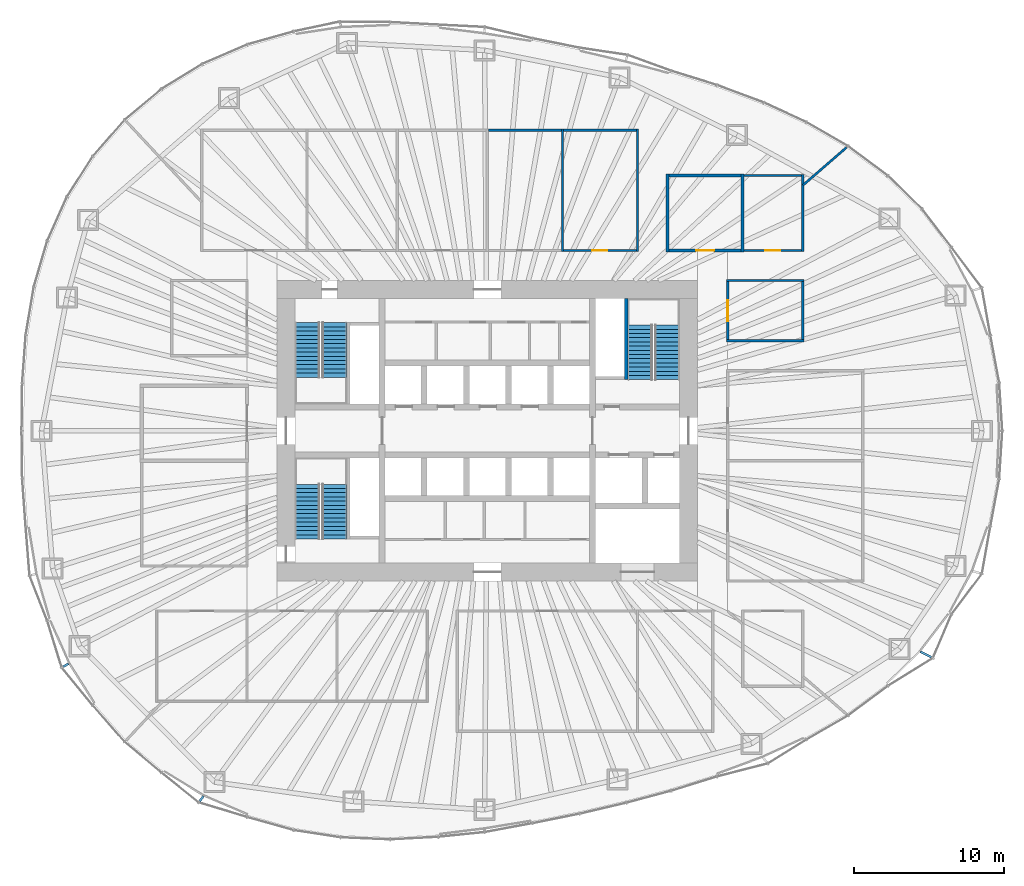
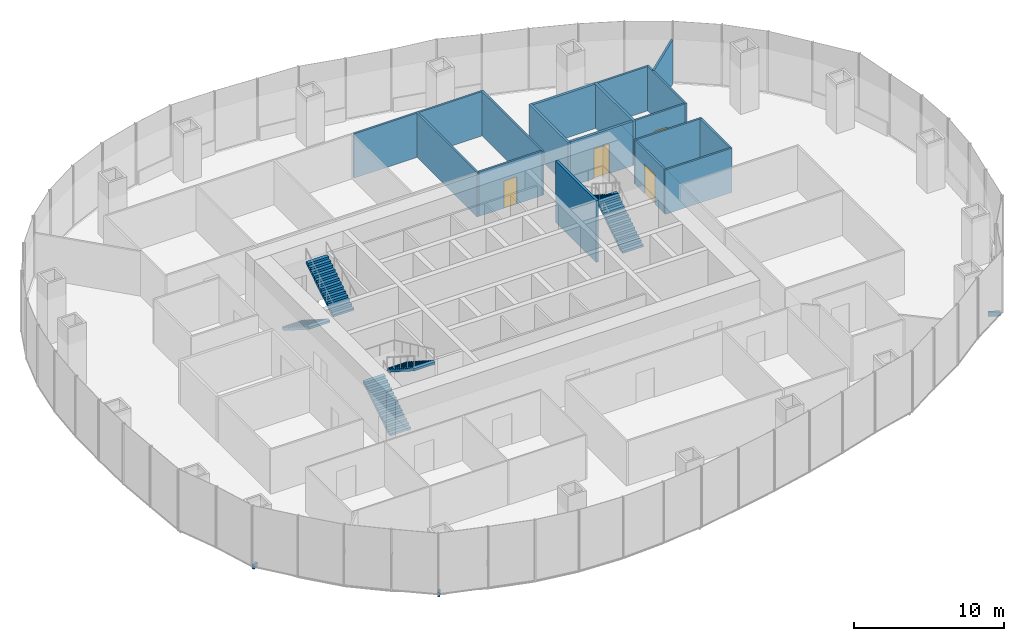
# One storey, part 12 of 18: 18 walls, 6 stair flights, 4 doors, 3 discrete accessories, 4 openings, 3 elements without a shape of their own.
"""IFC4 building model written with IfcOpenShell, lengths in metres."""

import ifcopenshell
import ifcopenshell.guid

model = None  # the IFC model being written
_history = None  # IfcOwnerHistory: only IFC2X3 demands one
_inside = {}  # id of a spatial element -> (the spatial element, [elements in it])
_under = {}  # id of a project, library or spatial element -> (it, [spatial elements below it])
_declared = {}  # id of a project -> (the project, [libraries it declares])
_typed = {}  # id of a type object -> (the type object, [elements of that type])
_made_of = {}  # id of a material, layer set ... -> (it, [elements and type objects made of it])


def new_model(schema):
    """Start an empty IFC model of exactly this schema.

    Asked for "IFC4X3", IfcOpenShell would pick the latest addendum, in which some entities
    have other attributes; the version numbers below select the first issue.
    IFC2X3 requires an IfcOwnerHistory on every rooted entity: one is made here for all.
    """
    global model, _history
    if schema == "IFC4X3":
        model = ifcopenshell.file(schema_version=(4, 3, 0, 0))
    else:
        model = ifcopenshell.file(schema=schema)
    _inside.clear()
    _under.clear()
    _declared.clear()
    _typed.clear()
    _made_of.clear()
    _history = None
    if model.schema == "IFC2X3":
        org = make("IfcOrganization", Name="unknown")
        user = make(
            "IfcPersonAndOrganization",
            ThePerson=make("IfcPerson", FamilyName="unknown"),
            TheOrganization=org,
        )
        app = make(
            "IfcApplication",
            ApplicationDeveloper=org,
            Version="unknown",
            ApplicationFullName="unknown",
            ApplicationIdentifier="unknown",
        )
        _history = make(
            "IfcOwnerHistory",
            OwningUser=user,
            OwningApplication=app,
            ChangeAction="ADDED",
            CreationDate=0,
        )
    return model


def make(cls, **values):
    """One entity of the class cls with the attributes given. An attribute that is None is left unset."""
    return model.create_entity(
        cls, **{name: value for name, value in values.items() if value is not None}
    )


def rooted(cls, **values):
    """An entity with a GlobalId (a new one), such as an element, a storey or a relation."""
    return make(cls, GlobalId=ifcopenshell.guid.new(), OwnerHistory=_history, **values)


def si_unit(unit_type, name, prefix=None):
    """IfcSIUnit, for example si_unit("LENGTHUNIT", "METRE", prefix="MILLI")."""
    return make("IfcSIUnit", UnitType=unit_type, Prefix=prefix, Name=name)


def assignment(units):
    """IfcUnitAssignment: the units of a project."""
    return None if units is None else make("IfcUnitAssignment", Units=units)


def point(xyz):
    """IfcCartesianPoint."""
    return None if xyz is None else make("IfcCartesianPoint", Coordinates=xyz)


def direction(xyz):
    """IfcDirection."""
    return None if xyz is None else make("IfcDirection", DirectionRatios=xyz)


def frame(location, z_axis=None, x_axis=None):
    """IfcAxis2Placement3D, a coordinate frame: its origin and axes. An axis left out is left unset."""
    return make(
        "IfcAxis2Placement3D",
        Location=point(location),
        Axis=direction(z_axis),
        RefDirection=direction(x_axis),
    )


def frame_2d(location, x_axis=None):
    """IfcAxis2Placement2D, a coordinate frame in the plane: its origin and x axis."""
    return make(
        "IfcAxis2Placement2D", Location=point(location), RefDirection=direction(x_axis)
    )


def origin():
    """The frame at (0, 0, 0) with its axes left unset."""
    return frame((0.0, 0.0, 0.0))


def origin_2d():
    """The frame at (0, 0) in the plane with its x axis left unset."""
    return frame_2d((0.0, 0.0))


def place(relative_to, where):
    """IfcLocalPlacement: puts the frame where relative to a parent placement (None: the world)."""
    return make(
        "IfcLocalPlacement", PlacementRelTo=relative_to, RelativePlacement=where
    )


def context(
    kind, dimensions, precision=None, world=None, true_north=None, identifier=None
):
    """IfcGeometricRepresentationContext, for example the 3D "Model" context."""
    return make(
        "IfcGeometricRepresentationContext",
        ContextIdentifier=identifier,
        ContextType=kind,
        CoordinateSpaceDimension=dimensions,
        Precision=precision,
        WorldCoordinateSystem=world,
        TrueNorth=true_north,
    )


def subcontext(parent, identifier, kind, view, scale=None):
    """IfcGeometricRepresentationSubContext, for example "Body" below "Model"."""
    return make(
        "IfcGeometricRepresentationSubContext",
        ContextIdentifier=identifier,
        ContextType=kind,
        ParentContext=parent,
        TargetScale=scale,
        TargetView=view,
    )


def project(units=None, contexts=None):
    """IfcProject with its units and contexts."""
    return rooted(
        "IfcProject",
        Name="project",
        RepresentationContexts=contexts,
        UnitsInContext=assignment(units),
    )


def spatial(cls, under=None, at=None, **own):
    """A site, building, storey or space (cls), placed at a placement, below another one or the project."""
    s = rooted(cls, ObjectPlacement=at, **own)
    if under is not None:
        _under.setdefault(under.id(), (under, []))[1].append(s)
    return s


def polyline(points):
    """IfcPolyline through the points."""
    return make("IfcPolyline", Points=[point(p) for p in points])


def profile(cls, at=None, kind="AREA", **sizes):
    """A parametric profile (cls). Its sizes go by their IFC names, for example OverallWidth=200.0."""
    return make(cls, ProfileType=kind, Position=at, **sizes)


def rectangle(**sizes):
    """IfcRectangleProfileDef."""
    return profile("IfcRectangleProfileDef", **sizes)


def outline(outer, holes=None, kind="AREA"):
    """IfcArbitraryClosedProfileDef: a profile drawn as a closed curve; with holes, ...WithVoids."""
    if holes is None:
        return make("IfcArbitraryClosedProfileDef", ProfileType=kind, OuterCurve=outer)
    return make(
        "IfcArbitraryProfileDefWithVoids",
        ProfileType=kind,
        OuterCurve=outer,
        InnerCurves=holes,
    )


def extrude(swept, where, along, depth):
    """IfcExtrudedAreaSolid: the profile swept, set in the frame where, extruded along a direction by depth."""
    return make(
        "IfcExtrudedAreaSolid",
        SweptArea=swept,
        Position=where,
        ExtrudedDirection=direction(along),
        Depth=depth,
    )


def shape(context_of_items, identifier, shape_type, items):
    """IfcShapeRepresentation: the items that make up one representation, for example the "Body"."""
    return make(
        "IfcShapeRepresentation",
        ContextOfItems=context_of_items,
        RepresentationIdentifier=identifier,
        RepresentationType=shape_type,
        Items=items,
    )


def material(Name=None, Category=None):
    """IfcMaterial."""
    return make("IfcMaterial", Name=Name, Category=Category)


def layer(
    of_material, thickness, ventilated=None, Name=None, Category=None, Priority=None
):
    """IfcMaterialLayer: one layer of a wall or slab, of a material (None: an air gap)."""
    return make(
        "IfcMaterialLayer",
        Material=of_material,
        LayerThickness=thickness,
        IsVentilated=ventilated,
        Name=Name,
        Category=Category,
        Priority=Priority,
    )


def layer_set(layers, Name=None):
    """IfcMaterialLayerSet."""
    return make("IfcMaterialLayerSet", MaterialLayers=layers, LayerSetName=Name)


def made_of(thing, what):
    """Note that an element or type object is made of a material, layer set ...; save() writes the relation."""
    if what is not None:
        _made_of.setdefault(what.id(), (what, []))[1].append(thing)
    return thing


def type_object(cls, material=None, **own):
    """A type object (cls), such as IfcWallType, which elements share."""
    return made_of(rooted(cls, **own), material)


def element(
    cls,
    number,
    at=None,
    inside=None,
    cuts=None,
    type_object=None,
    material=None,
    context=None,
    identifier="Body",
    shape_type=None,
    held_by="IfcProductDefinitionShape",
    body=None,
    shapes=None,
    **own,
):
    """One element of the class cls, such as IfcWall. Its Tag is "e" and its number.

    at: its placement. inside: the storey or other place that contains it. cuts: it is an
    opening in that element (IfcRelVoidsElement). A single representation is given by context,
    identifier, shape_type and body (its items); several are given by shapes. held_by: the class
    of the entity that holds the representations. save() writes the other relations.
    """
    e = rooted(cls, Tag="e%d" % number, ObjectPlacement=at, **own)
    if body is not None:
        shapes = [shape(context, identifier, shape_type, body)]
    if shapes is not None:
        e.Representation = make(held_by, Representations=shapes)
    if inside is not None:
        _inside.setdefault(inside.id(), (inside, []))[1].append(e)
    if cuts is not None:
        rooted(
            "IfcRelVoidsElement", RelatingBuildingElement=cuts, RelatedOpeningElement=e
        )
    if type_object is not None:
        _typed.setdefault(type_object.id(), (type_object, []))[1].append(e)
    return made_of(e, material)


def fill(opening, filler):
    """IfcRelFillsElement: the door or window that sits in an opening."""
    return rooted(
        "IfcRelFillsElement",
        RelatingOpeningElement=opening,
        RelatedBuildingElement=filler,
    )


def aggregate(whole, parts):
    """IfcRelAggregates: a whole, such as a stair, and the parts it consists of."""
    return rooted("IfcRelAggregates", RelatingObject=whole, RelatedObjects=parts)


def save(model, path):
    """Write the relations noted so far, then the file.

    IfcRelAggregates (storeys below a building ...), IfcRelContainedInSpatialStructure (elements
    in a storey), IfcRelDefinesByType, IfcRelAssociatesMaterial and IfcRelDeclares: one each for
    every whole, place, type object, material and project.
    """
    for whole, parts in _under.values():
        aggregate(whole, parts)
    for where, things in _inside.values():
        rooted(
            "IfcRelContainedInSpatialStructure",
            RelatedElements=things,
            RelatingStructure=where,
        )
    for kind, things in _typed.values():
        rooted("IfcRelDefinesByType", RelatedObjects=things, RelatingType=kind)
    for what, things in _made_of.values():
        rooted("IfcRelAssociatesMaterial", RelatedObjects=things, RelatingMaterial=what)
    for by, libraries in _declared.values():
        rooted("IfcRelDeclares", RelatingContext=by, RelatedDefinitions=libraries)
    model.write(path)


model = new_model("IFC4")

# Units and contexts
model_context = context("Model", 3, precision=1e-05, world=origin(), true_north=direction((0.0, 1.0)))
body_context = subcontext(model_context, "Body", "Model", "MODEL_VIEW")
ifc_project = project(units=[si_unit("LENGTHUNIT", "METRE"), si_unit("AREAUNIT", "SQUARE_METRE"), si_unit("VOLUMEUNIT", "CUBIC_METRE"), si_unit("PLANEANGLEUNIT", "RADIAN"), si_unit("MASSUNIT", "GRAM", prefix="KILO")], contexts=[model_context])

# Site, building, storey
site_placement = place(None, origin())
site = spatial("IfcSite", under=ifc_project, at=site_placement, CompositionType="ELEMENT")
building_placement = place(site_placement, origin())
building = spatial("IfcBuilding", under=site, at=building_placement, Name="Ghaith Harvest Tower", CompositionType="ELEMENT")
storey_placement = place(building_placement, frame((0.0, 0.0, 95.0)))
storey = spatial("IfcBuildingStorey", under=building, at=storey_placement, Name="L19", CompositionType="ELEMENT", Elevation=95.0)

# Walls
ifc_material_1 = material(Name="Twin-stud gypsum board, acoustic", Category="gypsum")
ifc_layer_1 = layer(ifc_material_1, 0.199951171875)
ifc_layer_set_1 = layer_set([ifc_layer_1], Name="ACOUSTIC PARTITION 200")
wall_type_1 = type_object("IfcWallType", Name="ACOUSTIC PARTITION 200", PredefinedType="PARTITIONING", material=ifc_layer_set_1)
for number, where, z_axis, x_axis, name in (
    (1, (12.0, 11.89990234375, 0.0), (0.0, 0.0, 1.0), (0.0, 1.0, 0.0), "Partition L19 row N6 cross wall 1"),
    (2, (17.0, 11.89990234375, 0.0), (0.0, 0.0, 1.0), (0.0, 1.0, 0.0), "Partition L19 row N6 cross wall 2"),
):
    element("IfcWall", number, at=place(storey_placement, frame(where, z_axis=z_axis, x_axis=x_axis)), inside=storey, type_object=wall_type_1, Name=name, PredefinedType="PARTITIONING", context=body_context, shape_type="SweptSolid", body=[
        extrude(rectangle(XDim=5.2001953125, YDim=0.199951171875, at=frame_2d((2.60009765625, 0.0))), origin(), (0.0, 0.0, 1.0), 3.60009765625),
    ])

# Wall, opening, door
wall_1_placement = place(storey_placement, frame((12.10009765625, 12.0, 0.0), z_axis=(0.0, 0.0, 1.0), x_axis=(1.0, 0.0, 0.0)))
wall_1 = element("IfcWall", 3, at=wall_1_placement, inside=storey, type_object=wall_type_1, Name="Partition L19-15", PredefinedType="PARTITIONING", context=body_context, shape_type="SweptSolid", body=[
    extrude(rectangle(XDim=4.7998046875, YDim=0.199951171875, at=frame_2d((2.39990234375, 0.0))), origin(), (0.0, 0.0, 1.0), 3.60009765625),
])
opening_1_placement = place(wall_1_placement, frame((1.800048828125, 0.0, 0.0)))
opening_1 = element("IfcOpeningElement", 4, at=opening_1_placement, cuts=wall_1, Name="Opening 19-040", PredefinedType="OPENING", context=body_context, shape_type="SweptSolid", body=[
    extrude(rectangle(XDim=1.199951171875, YDim=2.39990234375, at=frame_2d((0.60009765625, 1.199951171875))), frame((0.0, 0.10986328125, 0.0), z_axis=(0.0, -1.0, 0.0), x_axis=(1.0, 0.0, 0.0)), (0.0, 0.0, 1.0), 0.219970703125),
])
ifc_material_2 = material(Name="Timber door", Category="wood")
door_type_1 = type_object("IfcDoorType", Name="D11 GLAZED 1200x2400", OperationType="SINGLE_SWING_LEFT", PredefinedType="DOOR", material=ifc_material_2)
door_1_placement = place(opening_1_placement, origin())
door_1 = element("IfcDoor", 5, at=door_1_placement, inside=storey, type_object=door_type_1, Name="Meeting room door", OperationType="SINGLE_SWING_LEFT", OverallHeight=2.39990234375, OverallWidth=1.199951171875, PredefinedType="DOOR", context=body_context, shape_type="SweptSolid", body=[
    extrude(rectangle(XDim=1.199951171875, YDim=2.39990234375, at=frame_2d((0.60009765625, 1.199951171875))), frame((0.0, 0.02490234375, 0.0), z_axis=(0.0, -1.0, 0.0), x_axis=(1.0, 0.0, 0.0)), (0.0, 0.0, 1.0), 0.050048828125),
])
fill(opening_1, door_1)

# Walls
wall_2_placement = place(storey_placement, frame((12.10009765625, 17.0, 0.0), z_axis=(0.0, 0.0, 1.0), x_axis=(1.0, 0.0, 0.0)))
element("IfcWall", 6, at=wall_2_placement, inside=storey, type_object=wall_type_1, Name="Partition L19-15", PredefinedType="PARTITIONING", context=body_context, shape_type="SweptSolid", body=[
    extrude(rectangle(XDim=4.7998046875, YDim=0.199951171875, at=frame_2d((2.39990234375, 0.0))), origin(), (0.0, 0.0, 1.0), 3.60009765625),
])
ifc_material_3 = material(Name="Gypsum board on steel studs", Category="steel")
ifc_layer_2 = layer(ifc_material_3, 0.14990234375)
ifc_layer_set_2 = layer_set([ifc_layer_2], Name="PARTITION 150")
wall_type_2 = type_object("IfcWallType", Name="PARTITION 150", PredefinedType="PARTITIONING", material=ifc_layer_set_2)
for number, where, z_axis, x_axis, name in (
    (7, (5.0, 11.925048828125, 0.0), (0.0, 0.0, 1.0), (0.0, 1.0, 0.0), "Partition L19 row N4 cross wall 5"),
    (8, (10.0, 11.925048828125, 0.0), (0.0, 0.0, 1.0), (0.0, 1.0, 0.0), "Partition L19 row N4 cross wall 6"),
):
    element("IfcWall", number, at=place(storey_placement, frame(where, z_axis=z_axis, x_axis=x_axis)), inside=storey, type_object=wall_type_2, Name=name, PredefinedType="PARTITIONING", context=body_context, shape_type="SweptSolid", body=[
        extrude(rectangle(XDim=8.14990234375, YDim=0.14990234375, at=frame_2d((4.074951171875, 0.0))), origin(), (0.0, 0.0, 1.0), 3.60009765625),
    ])
wall_3_placement = place(storey_placement, frame((0.074951171875, 20.0, 0.0), z_axis=(0.0, 0.0, 1.0), x_axis=(1.0, 0.0, 0.0)))
element("IfcWall", 9, at=wall_3_placement, inside=storey, type_object=wall_type_2, Name="Partition L19-11", PredefinedType="PARTITIONING", context=body_context, shape_type="SweptSolid", body=[
    extrude(rectangle(XDim=4.85009765625, YDim=0.14990234375, at=frame_2d((2.425048828125, 0.0))), origin(), (0.0, 0.0, 1.0), 3.60009765625),
])

# Wall, opening, door
wall_4_placement = place(storey_placement, frame((5.074951171875, 12.0, 0.0), z_axis=(0.0, 0.0, 1.0), x_axis=(1.0, 0.0, 0.0)))
wall_4 = element("IfcWall", 10, at=wall_4_placement, inside=storey, type_object=wall_type_2, Name="Partition L19-12", PredefinedType="PARTITIONING", context=body_context, shape_type="SweptSolid", body=[
    extrude(rectangle(XDim=4.85009765625, YDim=0.14990234375, at=frame_2d((2.425048828125, 0.0))), origin(), (0.0, 0.0, 1.0), 3.60009765625),
])
opening_2_placement = place(wall_4_placement, frame((1.925048828125, 0.0, 0.0)))
opening_2 = element("IfcOpeningElement", 11, at=opening_2_placement, cuts=wall_4, Name="Opening 19-037", PredefinedType="OPENING", context=body_context, shape_type="SweptSolid", body=[
    extrude(rectangle(XDim=1.0, YDim=2.199951171875, at=frame_2d((0.5, 1.10009765625))), frame((0.0, 0.0849609375, 0.0), z_axis=(0.0, -1.0, 0.0), x_axis=(1.0, 0.0, 0.0)), (0.0, 0.0, 1.0), 0.169921875),
])
ifc_material_4 = material(Name="Timber door", Category="wood")
door_type_2 = type_object("IfcDoorType", Name="D1 SINGLE 1000x2200", OperationType="SINGLE_SWING_LEFT", PredefinedType="DOOR", material=ifc_material_4)
door_2_placement = place(opening_2_placement, origin())
door_2 = element("IfcDoor", 12, at=door_2_placement, inside=storey, type_object=door_type_2, Name="Female staff changing room door", OperationType="SINGLE_SWING_LEFT", OverallHeight=2.199951171875, OverallWidth=1.0, PredefinedType="DOOR", context=body_context, shape_type="SweptSolid", body=[
    extrude(rectangle(XDim=1.0, YDim=2.199951171875, at=frame_2d((0.5, 1.10009765625))), frame((0.0, 0.02490234375, 0.0), z_axis=(0.0, -1.0, 0.0), x_axis=(1.0, 0.0, 0.0)), (0.0, 0.0, 1.0), 0.050048828125),
])
fill(opening_2, door_2)

# Walls
wall_5_placement = place(storey_placement, frame((5.074951171875, 20.0, 0.0), z_axis=(0.0, 0.0, 1.0), x_axis=(1.0, 0.0, 0.0)))
element("IfcWall", 13, at=wall_5_placement, inside=storey, type_object=wall_type_2, Name="Partition L19-12", PredefinedType="PARTITIONING", context=body_context, shape_type="SweptSolid", body=[
    extrude(rectangle(XDim=4.85009765625, YDim=0.14990234375, at=frame_2d((2.425048828125, 0.0))), origin(), (0.0, 0.0, 1.0), 3.60009765625),
])
wall_6_placement = place(storey_placement, frame((21.0, 11.925048828125, 0.0), z_axis=(0.0, 0.0, 1.0), x_axis=(0.0, 1.0, 0.0)))
element("IfcWall", 14, at=wall_6_placement, inside=storey, type_object=wall_type_2, Name="Partition L19 row N6 cross wall 3", PredefinedType="PARTITIONING", context=body_context, shape_type="SweptSolid", body=[
    extrude(rectangle(XDim=5.14990234375, YDim=0.14990234375, at=frame_2d((2.574951171875, 0.0))), origin(), (0.0, 0.0, 1.0), 3.60009765625),
])

# Wall, opening, door
wall_7_placement = place(storey_placement, frame((17.10009765625, 12.0, 0.0), z_axis=(0.0, 0.0, 1.0), x_axis=(1.0, 0.0, 0.0)))
wall_7 = element("IfcWall", 15, at=wall_7_placement, inside=storey, type_object=wall_type_2, Name="Partition L19-16", PredefinedType="PARTITIONING", context=body_context, shape_type="SweptSolid", body=[
    extrude(rectangle(XDim=3.824951171875, YDim=0.14990234375, at=frame_2d((1.91259765625, 0.0))), origin(), (0.0, 0.0, 1.0), 3.60009765625),
])
opening_3_placement = place(wall_7_placement, frame((1.41259765625, 0.0, 0.0)))
opening_3 = element("IfcOpeningElement", 16, at=opening_3_placement, cuts=wall_7, Name="Opening 19-041", PredefinedType="OPENING", context=body_context, shape_type="SweptSolid", body=[
    extrude(rectangle(XDim=1.0, YDim=2.199951171875, at=frame_2d((0.5, 1.10009765625))), frame((0.0, 0.0849609375, 0.0), z_axis=(0.0, -1.0, 0.0), x_axis=(1.0, 0.0, 0.0)), (0.0, 0.0, 1.0), 0.169921875),
])
door_3_placement = place(opening_3_placement, origin())
door_3 = element("IfcDoor", 17, at=door_3_placement, inside=storey, type_object=door_type_2, Name="Store door", OperationType="SINGLE_SWING_LEFT", OverallHeight=2.199951171875, OverallWidth=1.0, PredefinedType="DOOR", context=body_context, shape_type="SweptSolid", body=[
    extrude(rectangle(XDim=1.0, YDim=2.199951171875, at=frame_2d((0.5, 1.10009765625))), frame((0.0, 0.02490234375, 0.0), z_axis=(0.0, -1.0, 0.0), x_axis=(1.0, 0.0, 0.0)), (0.0, 0.0, 1.0), 0.050048828125),
])
fill(opening_3, door_3)

# Walls
wall_8_placement = place(storey_placement, frame((17.10009765625, 17.0, 0.0), z_axis=(0.0, 0.0, 1.0), x_axis=(1.0, 0.0, 0.0)))
element("IfcWall", 18, at=wall_8_placement, inside=storey, type_object=wall_type_2, Name="Partition L19-16", PredefinedType="PARTITIONING", context=body_context, shape_type="SweptSolid", body=[
    extrude(rectangle(XDim=3.824951171875, YDim=0.14990234375, at=frame_2d((1.91259765625, 0.0))), origin(), (0.0, 0.0, 1.0), 3.60009765625),
])
for number, where, z_axis, x_axis, name in (
    (19, (15.925048828125, 6.0, 0.0), (0.0, 0.0, 1.0), (1.0, 0.0, 0.0), "Partition L19 row E8 cross wall 1"),
    (20, (15.925048828125, 10.0, 0.0), (0.0, 0.0, 1.0), (1.0, 0.0, 0.0), "Partition L19 row E8 cross wall 2"),
):
    element("IfcWall", number, at=place(storey_placement, frame(where, z_axis=z_axis, x_axis=x_axis)), inside=storey, type_object=wall_type_2, Name=name, PredefinedType="PARTITIONING", context=body_context, shape_type="SweptSolid", body=[
        extrude(rectangle(XDim=5.14990234375, YDim=0.14990234375, at=frame_2d((2.574951171875, 0.0))), origin(), (0.0, 0.0, 1.0), 3.60009765625),
    ])

# Wall, opening, door
wall_9_placement = place(storey_placement, frame((16.0, 6.074951171875, 0.0), z_axis=(0.0, 0.0, 1.0), x_axis=(0.0, 1.0, 0.0)))
wall_9 = element("IfcWall", 21, at=wall_9_placement, inside=storey, type_object=wall_type_2, Name="Partition L19-18", PredefinedType="PARTITIONING", context=body_context, shape_type="SweptSolid", body=[
    extrude(rectangle(XDim=3.85009765625, YDim=0.14990234375, at=frame_2d((1.925048828125, 0.0))), origin(), (0.0, 0.0, 1.0), 3.60009765625),
])
opening_4_placement = place(wall_9_placement, frame((1.22509765625, 0.0, 0.0)))
opening_4 = element("IfcOpeningElement", 22, at=opening_4_placement, cuts=wall_9, Name="Opening 19-043", PredefinedType="OPENING", context=body_context, shape_type="SweptSolid", body=[
    extrude(rectangle(XDim=1.39990234375, YDim=2.39990234375, at=frame_2d((0.699951171875, 1.199951171875))), frame((0.0, 0.0849609375, 0.0), z_axis=(0.0, -1.0, 0.0), x_axis=(1.0, 0.0, 0.0)), (0.0, 0.0, 1.0), 0.169921875),
])
ifc_material_5 = material(Name="Stainless steel faced door pair", Category="steel")
door_type_3 = type_object("IfcDoorType", Name="D14 HYGIENE PAIR 1400x2400", OperationType="DOUBLE_DOOR_DOUBLE_SWING", PredefinedType="DOOR", material=ifc_material_5)
door_4_placement = place(opening_4_placement, origin())
door_4 = element("IfcDoor", 23, at=door_4_placement, inside=storey, type_object=door_type_3, Name="Pallet store door", OperationType="DOUBLE_DOOR_DOUBLE_SWING", OverallHeight=2.39990234375, OverallWidth=1.39990234375, PredefinedType="DOOR", context=body_context, shape_type="SweptSolid", body=[
    extrude(rectangle(XDim=1.39990234375, YDim=2.39990234375, at=frame_2d((0.699951171875, 1.199951171875))), frame((0.0, 0.02490234375, 0.0), z_axis=(0.0, -1.0, 0.0), x_axis=(1.0, 0.0, 0.0)), (0.0, 0.0, 1.0), 0.050048828125),
])
fill(opening_4, door_4)

# Walls
wall_10_placement = place(storey_placement, frame((21.0, 6.074951171875, 0.0), z_axis=(0.0, 0.0, 1.0), x_axis=(0.0, 1.0, 0.0)))
element("IfcWall", 24, at=wall_10_placement, inside=storey, type_object=wall_type_2, Name="Partition L19-18", PredefinedType="PARTITIONING", context=body_context, shape_type="SweptSolid", body=[
    extrude(rectangle(XDim=3.85009765625, YDim=0.14990234375, at=frame_2d((1.925048828125, 0.0))), origin(), (0.0, 0.0, 1.0), 3.60009765625),
])
wall_11_placement = place(storey_placement, frame((21.02001953125, 16.35400390625, 0.0), z_axis=(0.0, 0.0, 1.0), x_axis=(0.755425653008, 0.655234372402, 0.0)))
element("IfcWall", 25, at=wall_11_placement, inside=storey, type_object=wall_type_2, Name="Partition L19 zone division", PredefinedType="PARTITIONING", context=body_context, shape_type="SweptSolid", body=[
    extrude(rectangle(XDim=3.8232421875, YDim=0.14990234375, at=frame_2d((1.91162109375, 0.0))), origin(), (0.0, 0.0, 1.0), 3.60009765625),
])
ifc_material_6 = material(Name="Concrete C40/50", Category="concrete")
ifc_layer_3 = layer(ifc_material_6, 0.199951171875)
ifc_layer_set_3 = layer_set([ifc_layer_3], Name="STAIR SPINE WALL RC200")
wall_type_3 = type_object("IfcWallType", Name="STAIR SPINE WALL RC200", PredefinedType="SOLIDWALL", material=ifc_layer_set_3)
wall_12_placement = place(storey_placement, frame((9.25, 3.39990234375, 0.0), z_axis=(0.0, 0.0, 1.0), x_axis=(0.0, 1.0, 0.0)))
element("IfcWall", 26, at=wall_12_placement, inside=storey, type_object=wall_type_3, Name="Stair ST2 spine wall L19", PredefinedType="SOLIDWALL", context=body_context, shape_type="SweptSolid", body=[
    extrude(rectangle(XDim=5.400146484375, YDim=0.199951171875, at=frame_2d((2.7001953125, 0.0))), origin(), (0.0, 0.0, 1.0), 5.0),
])

# Stair, stair flights
ifc_material_7 = material(Name="Concrete C40/50, precast", Category="concrete")
stair_type = type_object("IfcStairType", Name="CORE STAIR 28R", PredefinedType="HALF_TURN_STAIR", material=ifc_material_7)
stair_1_placement = place(storey_placement, origin())
stair_1 = element("IfcStair", 27, at=stair_1_placement, inside=storey, type_object=stair_type, Name="Stair ST1 L19", PredefinedType="HALF_TURN_STAIR")
ifc_material_8 = material(Name="Concrete C40/50, precast", Category="concrete")
stair_flight_type = type_object("IfcStairFlightType", Name="CORE FLIGHT 14R 1600", PredefinedType="STRAIGHT", material=ifc_material_8)
stair_flight_1_placement = place(storey_placement, frame((-12.0, 7.199951171875, 0.0), z_axis=(0.0, 0.0, 1.0), x_axis=(0.0, -1.0, 0.0)))
stair_flight_1 = element("IfcStairFlight", 28, at=stair_flight_1_placement, type_object=stair_flight_type, Name="ST1 flight 1", NumberOfRisers=14, NumberOfTreads=13, PredefinedType="STRAIGHT", RiserHeight=0.178571429, TreadLength=0.28, context=body_context, shape_type="SweptSolid", body=[
    extrude(outline(polyline([(0.0, 0.0), (0.0, 0.178466796875), (0.280029296875, 0.178466796875), (0.280029296875, 0.357177734375), (0.56005859375, 0.357177734375), (0.56005859375, 0.53564453125), (0.840087890625, 0.53564453125), (0.840087890625, 0.71435546875), (1.1201171875, 0.71435546875), (1.1201171875, 0.892822265625), (1.39990234375, 0.892822265625), (1.39990234375, 1.071533203125), (1.679931640625, 1.071533203125), (1.679931640625, 1.25), (1.9599609375, 1.25), (1.9599609375, 1.428466796875), (2.239990234375, 1.428466796875), (2.239990234375, 1.607177734375), (2.52001953125, 1.607177734375), (2.52001953125, 1.78564453125), (2.800048828125, 1.78564453125), (2.800048828125, 1.96435546875), (3.080078125, 1.96435546875), (3.080078125, 2.142822265625), (3.360107421875, 2.142822265625), (3.360107421875, 2.321533203125), (3.639892578125, 2.321533203125), (3.639892578125, 2.5), (3.639892578125, 2.1435546875), (0.27880859375, 0.0), (0.0, 0.0)])), frame((0.0, 0.800048828125, 0.0), z_axis=(0.0, -1.0, 0.0), x_axis=(1.0, 0.0, 0.0)), (0.0, 0.0, 1.0), 1.60009765625),
])
stair_flight_2_placement = place(storey_placement, frame((-10.14990234375, 3.56005859375, 2.5), z_axis=(0.0, 0.0, 1.0), x_axis=(0.0, 1.0, 0.0)))
stair_flight_2 = element("IfcStairFlight", 29, at=stair_flight_2_placement, type_object=stair_flight_type, Name="ST1 flight 2", NumberOfRisers=14, NumberOfTreads=13, PredefinedType="STRAIGHT", RiserHeight=0.178571429, TreadLength=0.28, context=body_context, shape_type="SweptSolid", body=[
    extrude(outline(polyline([(0.0, 0.0), (0.0, 0.178466796875), (0.280029296875, 0.178466796875), (0.280029296875, 0.357177734375), (0.56005859375, 0.357177734375), (0.56005859375, 0.53564453125), (0.840087890625, 0.53564453125), (0.840087890625, 0.71435546875), (1.1201171875, 0.71435546875), (1.1201171875, 0.892822265625), (1.39990234375, 0.892822265625), (1.39990234375, 1.071533203125), (1.679931640625, 1.071533203125), (1.679931640625, 1.25), (1.9599609375, 1.25), (1.9599609375, 1.428466796875), (2.239990234375, 1.428466796875), (2.239990234375, 1.607177734375), (2.52001953125, 1.607177734375), (2.52001953125, 1.78564453125), (2.800048828125, 1.78564453125), (2.800048828125, 1.96435546875), (3.080078125, 1.96435546875), (3.080078125, 2.142822265625), (3.360107421875, 2.142822265625), (3.360107421875, 2.321533203125), (3.639892578125, 2.321533203125), (3.639892578125, 2.5), (3.639892578125, 2.1435546875), (0.27880859375, 0.0), (0.0, 0.0)])), frame((0.0, 0.800048828125, 0.0), z_axis=(0.0, -1.0, 0.0), x_axis=(1.0, 0.0, 0.0)), (0.0, 0.0, 1.0), 1.60009765625),
])
aggregate(stair_1, [stair_flight_1, stair_flight_2])

stair_2_placement = place(storey_placement, origin())
stair_2 = element("IfcStair", 30, at=stair_2_placement, inside=storey, type_object=stair_type, Name="Stair ST3 L19", PredefinedType="HALF_TURN_STAIR")
stair_flight_3_placement = place(storey_placement, frame((-12.0, -7.199951171875, 0.0), z_axis=(0.0, 0.0, 1.0), x_axis=(0.0, 1.0, 0.0)))
stair_flight_3 = element("IfcStairFlight", 31, at=stair_flight_3_placement, type_object=stair_flight_type, Name="ST3 flight 1", NumberOfRisers=14, NumberOfTreads=13, PredefinedType="STRAIGHT", RiserHeight=0.178571429, TreadLength=0.28, context=body_context, shape_type="SweptSolid", body=[
    extrude(outline(polyline([(0.0, 0.0), (0.0, 0.178466796875), (0.280029296875, 0.178466796875), (0.280029296875, 0.357177734375), (0.56005859375, 0.357177734375), (0.56005859375, 0.53564453125), (0.840087890625, 0.53564453125), (0.840087890625, 0.71435546875), (1.1201171875, 0.71435546875), (1.1201171875, 0.892822265625), (1.39990234375, 0.892822265625), (1.39990234375, 1.071533203125), (1.679931640625, 1.071533203125), (1.679931640625, 1.25), (1.9599609375, 1.25), (1.9599609375, 1.428466796875), (2.239990234375, 1.428466796875), (2.239990234375, 1.607177734375), (2.52001953125, 1.607177734375), (2.52001953125, 1.78564453125), (2.800048828125, 1.78564453125), (2.800048828125, 1.96435546875), (3.080078125, 1.96435546875), (3.080078125, 2.142822265625), (3.360107421875, 2.142822265625), (3.360107421875, 2.321533203125), (3.639892578125, 2.321533203125), (3.639892578125, 2.5), (3.639892578125, 2.1435546875), (0.27880859375, 0.0), (0.0, 0.0)])), frame((0.0, 0.800048828125, 0.0), z_axis=(0.0, -1.0, 0.0), x_axis=(1.0, 0.0, 0.0)), (0.0, 0.0, 1.0), 1.60009765625),
])
stair_flight_4_placement = place(storey_placement, frame((-10.14990234375, -3.56005859375, 2.5), z_axis=(0.0, 0.0, 1.0), x_axis=(0.0, -1.0, 0.0)))
stair_flight_4 = element("IfcStairFlight", 32, at=stair_flight_4_placement, type_object=stair_flight_type, Name="ST3 flight 2", NumberOfRisers=14, NumberOfTreads=13, PredefinedType="STRAIGHT", RiserHeight=0.178571429, TreadLength=0.28, context=body_context, shape_type="SweptSolid", body=[
    extrude(outline(polyline([(0.0, 0.0), (0.0, 0.178466796875), (0.280029296875, 0.178466796875), (0.280029296875, 0.357177734375), (0.56005859375, 0.357177734375), (0.56005859375, 0.53564453125), (0.840087890625, 0.53564453125), (0.840087890625, 0.71435546875), (1.1201171875, 0.71435546875), (1.1201171875, 0.892822265625), (1.39990234375, 0.892822265625), (1.39990234375, 1.071533203125), (1.679931640625, 1.071533203125), (1.679931640625, 1.25), (1.9599609375, 1.25), (1.9599609375, 1.428466796875), (2.239990234375, 1.428466796875), (2.239990234375, 1.607177734375), (2.52001953125, 1.607177734375), (2.52001953125, 1.78564453125), (2.800048828125, 1.78564453125), (2.800048828125, 1.96435546875), (3.080078125, 1.96435546875), (3.080078125, 2.142822265625), (3.360107421875, 2.142822265625), (3.360107421875, 2.321533203125), (3.639892578125, 2.321533203125), (3.639892578125, 2.5), (3.639892578125, 2.1435546875), (0.27880859375, 0.0), (0.0, 0.0)])), frame((0.0, 0.800048828125, 0.0), z_axis=(0.0, -1.0, 0.0), x_axis=(1.0, 0.0, 0.0)), (0.0, 0.0, 1.0), 1.60009765625),
])
aggregate(stair_2, [stair_flight_3, stair_flight_4])

stair_3_placement = place(storey_placement, origin())
stair_3 = element("IfcStair", 33, at=stair_3_placement, inside=storey, type_object=stair_type, Name="Stair ST2 L19", PredefinedType="HALF_TURN_STAIR")
stair_flight_5_placement = place(storey_placement, frame((12.0, 3.39990234375, 0.0), z_axis=(0.0, 0.0, 1.0), x_axis=(0.0, 1.0, 0.0)))
stair_flight_5 = element("IfcStairFlight", 34, at=stair_flight_5_placement, type_object=stair_flight_type, Name="ST2 flight 1", NumberOfRisers=14, NumberOfTreads=13, PredefinedType="STRAIGHT", RiserHeight=0.178571429, TreadLength=0.28, context=body_context, shape_type="SweptSolid", body=[
    extrude(outline(polyline([(0.0, 0.0), (0.0, 0.178466796875), (0.280029296875, 0.178466796875), (0.280029296875, 0.357177734375), (0.56005859375, 0.357177734375), (0.56005859375, 0.53564453125), (0.840087890625, 0.53564453125), (0.840087890625, 0.71435546875), (1.1201171875, 0.71435546875), (1.1201171875, 0.892822265625), (1.39990234375, 0.892822265625), (1.39990234375, 1.071533203125), (1.679931640625, 1.071533203125), (1.679931640625, 1.25), (1.9599609375, 1.25), (1.9599609375, 1.428466796875), (2.239990234375, 1.428466796875), (2.239990234375, 1.607177734375), (2.52001953125, 1.607177734375), (2.52001953125, 1.78564453125), (2.800048828125, 1.78564453125), (2.800048828125, 1.96435546875), (3.080078125, 1.96435546875), (3.080078125, 2.142822265625), (3.360107421875, 2.142822265625), (3.360107421875, 2.321533203125), (3.639892578125, 2.321533203125), (3.639892578125, 2.5), (3.639892578125, 2.1435546875), (0.27880859375, 0.0), (0.0, 0.0)])), frame((0.0, 0.800048828125, 0.0), z_axis=(0.0, -1.0, 0.0), x_axis=(1.0, 0.0, 0.0)), (0.0, 0.0, 1.0), 1.60009765625),
])
stair_flight_6_placement = place(storey_placement, frame((10.14990234375, 7.0400390625, 2.5), z_axis=(0.0, 0.0, 1.0), x_axis=(0.0, -1.0, 0.0)))
stair_flight_6 = element("IfcStairFlight", 35, at=stair_flight_6_placement, type_object=stair_flight_type, Name="ST2 flight 2", NumberOfRisers=14, NumberOfTreads=13, PredefinedType="STRAIGHT", RiserHeight=0.178571429, TreadLength=0.28, context=body_context, shape_type="SweptSolid", body=[
    extrude(outline(polyline([(0.0, 0.0), (0.0, 0.178466796875), (0.280029296875, 0.178466796875), (0.280029296875, 0.357177734375), (0.56005859375, 0.357177734375), (0.56005859375, 0.53564453125), (0.840087890625, 0.53564453125), (0.840087890625, 0.71435546875), (1.1201171875, 0.71435546875), (1.1201171875, 0.892822265625), (1.39990234375, 0.892822265625), (1.39990234375, 1.071533203125), (1.679931640625, 1.071533203125), (1.679931640625, 1.25), (1.9599609375, 1.25), (1.9599609375, 1.428466796875), (2.239990234375, 1.428466796875), (2.239990234375, 1.607177734375), (2.52001953125, 1.607177734375), (2.52001953125, 1.78564453125), (2.800048828125, 1.78564453125), (2.800048828125, 1.96435546875), (3.080078125, 1.96435546875), (3.080078125, 2.142822265625), (3.360107421875, 2.142822265625), (3.360107421875, 2.321533203125), (3.639892578125, 2.321533203125), (3.639892578125, 2.5), (3.639892578125, 2.1435546875), (0.27880859375, 0.0), (0.0, 0.0)])), frame((0.0, 0.800048828125, 0.0), z_axis=(0.0, -1.0, 0.0), x_axis=(1.0, 0.0, 0.0)), (0.0, 0.0, 1.0), 1.60009765625),
])
aggregate(stair_3, [stair_flight_5, stair_flight_6])

# Discrete accessories
ifc_material_9 = material(Name="Stainless steel grade 1.4401", Category="steel")
discrete_accessory_type_1 = type_object("IfcDiscreteAccessoryType", Name="CURTAIN WALL BRACKET 415", PredefinedType="BRACKET", material=ifc_material_9)
discrete_accessory_1_placement = place(storey_placement, frame((-28.05859375, -15.60546875, -0.25), z_axis=(0.0, 0.0, 1.0), x_axis=(-0.873926916099, -0.486057347767, 0.0)))
element("IfcDiscreteAccessory", 36, at=discrete_accessory_1_placement, inside=storey, type_object=discrete_accessory_type_1, Name="CW-F bracket 3 bay 12 L19", PredefinedType="BRACKET", context=body_context, shape_type="SweptSolid", body=[
    extrude(rectangle(XDim=0.4150390625, YDim=0.14990234375, at=origin_2d()), origin(), (0.0, 0.0, 1.0), 0.35009765625),
])
ifc_material_10 = material(Name="Stainless steel grade 1.4401", Category="steel")
discrete_accessory_type_2 = type_object("IfcDiscreteAccessoryType", Name="CURTAIN WALL BRACKET 425", PredefinedType="BRACKET", material=ifc_material_10)
discrete_accessory_2_placement = place(storey_placement, frame((-19.02099609375, -24.491455078125, -0.25), z_axis=(0.0, 0.0, 1.0), x_axis=(-0.613377713774, -0.789789706343, 0.0)))
element("IfcDiscreteAccessory", 37, at=discrete_accessory_2_placement, inside=storey, type_object=discrete_accessory_type_2, Name="CW-F bracket 1 bay 14 L19", PredefinedType="BRACKET", context=body_context, shape_type="SweptSolid", body=[
    extrude(rectangle(XDim=0.425048828125, YDim=0.14990234375, at=origin_2d()), origin(), (0.0, 0.0, 1.0), 0.35009765625),
])
ifc_material_11 = material(Name="Stainless steel grade 1.4401", Category="steel")
discrete_accessory_type_3 = type_object("IfcDiscreteAccessoryType", Name="CURTAIN WALL BRACKET 825", PredefinedType="BRACKET", material=ifc_material_11)
discrete_accessory_3_placement = place(storey_placement, frame((29.203125, -14.89404296875, -0.25), z_axis=(0.0, 0.0, 1.0), x_axis=(0.890830752177, -0.454335306767, 0.0)))
element("IfcDiscreteAccessory", 38, at=discrete_accessory_3_placement, inside=storey, type_object=discrete_accessory_type_3, Name="CW-F bracket 2 bay 19 L19", PredefinedType="BRACKET", context=body_context, shape_type="SweptSolid", body=[
    extrude(rectangle(XDim=0.824951171875, YDim=0.14990234375, at=origin_2d()), origin(), (0.0, 0.0, 1.0), 0.35009765625),
])

save(model, "model.ifc")
